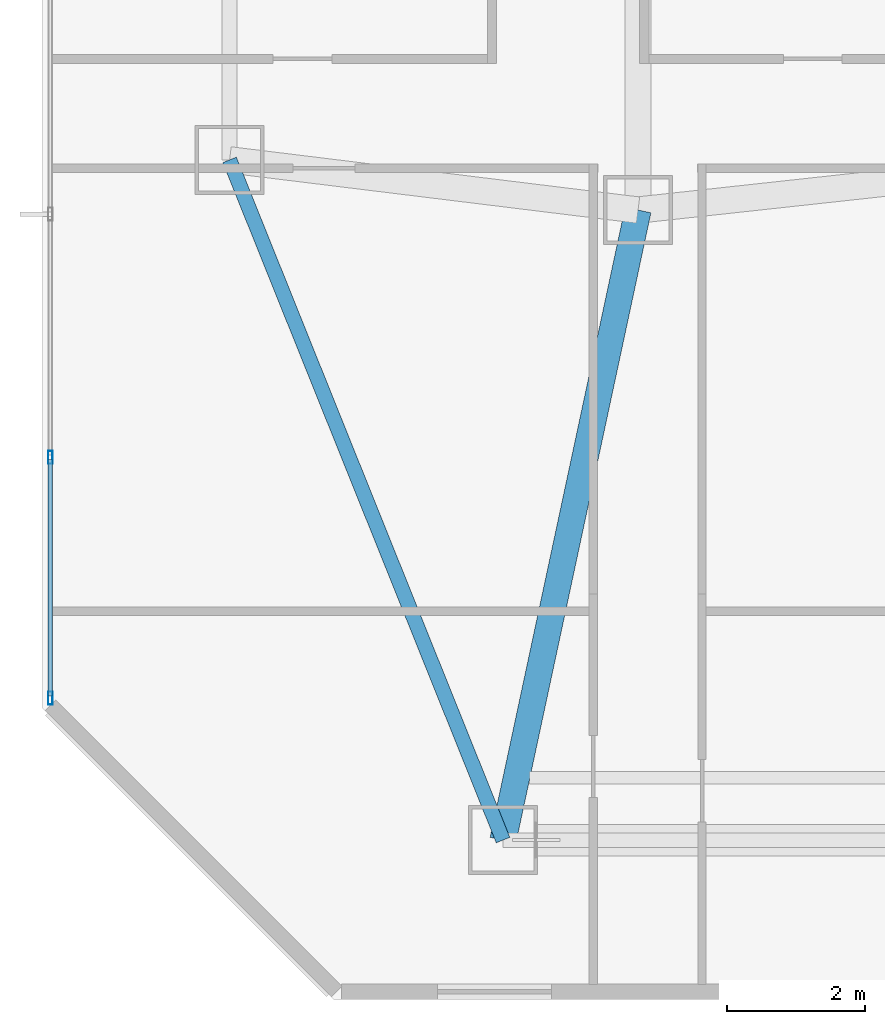
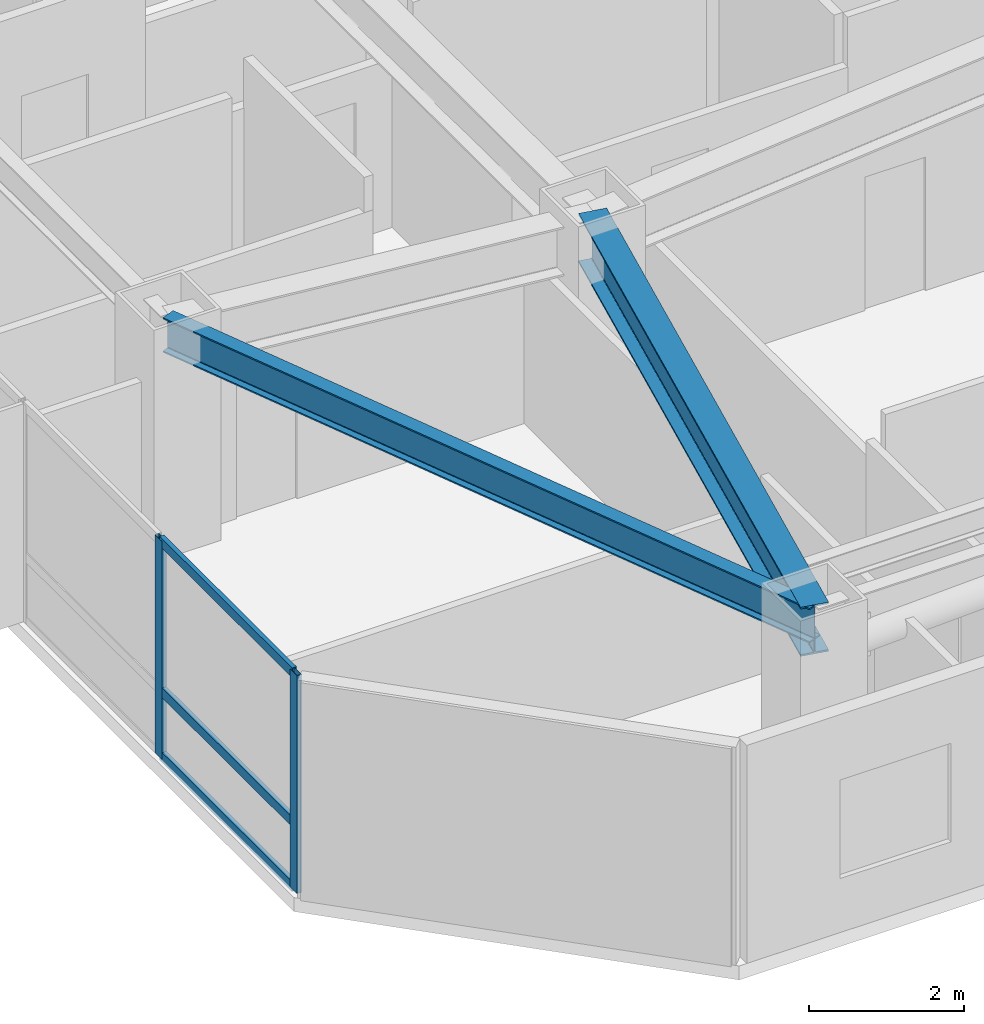
# One storey, part 2 of 19: 5 members, 2 beams, 1 element without a shape of its own.
"""IFC4 building model written with IfcOpenShell, lengths in metres."""

from ifc_helpers import new_model, si_unit, direction, frame, origin, origin_2d, place, context, subcontext, project, spatial, hollow_rectangle, i_section, extrude, material, material_profile, profile_set, type_object, element, aggregate, save


model = new_model("IFC4")

# Units and contexts
model_context = context("Model", 3, precision=1e-05, world=origin(), true_north=direction((0.0, 1.0)))
body_context = subcontext(model_context, "Body", "Model", "MODEL_VIEW")
ifc_project = project(units=[si_unit("LENGTHUNIT", "METRE"), si_unit("AREAUNIT", "SQUARE_METRE"), si_unit("VOLUMEUNIT", "CUBIC_METRE"), si_unit("PLANEANGLEUNIT", "RADIAN"), si_unit("MASSUNIT", "GRAM", prefix="KILO")], contexts=[model_context])

# Site, building, storey
site_placement = place(None, origin())
site = spatial("IfcSite", under=ifc_project, at=site_placement, CompositionType="ELEMENT")
building_placement = place(site_placement, origin())
building = spatial("IfcBuilding", under=site, at=building_placement, Name="Khamvora Tower", CompositionType="ELEMENT")
storey_placement = place(building_placement, frame((0.0, 0.0, 120.14990234375)))
storey = spatial("IfcBuildingStorey", under=building, at=storey_placement, Name="L30", CompositionType="ELEMENT", Elevation=120.14990234375)

# Beams
ifc_material_1 = material(Name="Steel S355", Category="steel")
ifc_material_profile_1 = material_profile(ifc_material_1, i_section(OverallWidth=0.381103515625, OverallDepth=0.77294921875, WebThickness=0.01708984375, FlangeThickness=0.027099609375, FilletRadius=0.01806640625, at=origin_2d()), Name="W760x257")
ifc_profile_set_1 = profile_set([ifc_material_profile_1], Name="Steel S355")
beam_type_1 = type_object("IfcBeamType", Name="BM-PG-W760x257", PredefinedType="BEAM", material=ifc_profile_set_1)
beam_1_placement = place(storey_placement, frame((18.0, 17.800048828125, 3.044189453125), z_axis=(-0.209521922673, -0.977803949634, 0.0), x_axis=(0.977803949634, -0.209521922673, 0.0)))
element("IfcBeam", 1, at=beam_1_placement, inside=storey, type_object=beam_type_1, Name="L30 primary floor girder S1", PredefinedType="BEAM", context=body_context, shape_type="SweptSolid", body=[
    extrude(i_section(OverallWidth=0.381103515625, OverallDepth=0.77294921875, WebThickness=0.01708984375, FlangeThickness=0.027099609375, FilletRadius=0.01806640625, at=origin_2d()), origin(), (0.0, 0.0, 1.0), 9.306640625),
])
ifc_material_profile_2 = material_profile(ifc_material_1, i_section(OverallWidth=0.2119140625, OverallDepth=0.5439453125, WebThickness=0.012939453125, FlangeThickness=0.02099609375, FilletRadius=0.013916015625, at=origin_2d()), Name="W530x123")
ifc_profile_set_2 = profile_set([ifc_material_profile_2], Name="Steel S355")
beam_type_2 = type_object("IfcBeamType", Name="BM-SP-W530x123", PredefinedType="SPANDREL", material=ifc_profile_set_2)
beam_2_placement = place(storey_placement, frame((12.10009765625, 18.52490234375, 3.158203125), z_axis=(0.373015921536, -0.927824941614, 0.0), x_axis=(0.927824941614, 0.373015921536, 0.0)))
element("IfcBeam", 2, at=beam_2_placement, inside=storey, type_object=beam_type_2, Name="L30 perimeter spandrel beam W1-S1", PredefinedType="SPANDREL", context=body_context, shape_type="SweptSolid", body=[
    extrude(i_section(OverallWidth=0.2119140625, OverallDepth=0.5439453125, WebThickness=0.012939453125, FlangeThickness=0.02099609375, FilletRadius=0.013916015625, at=origin_2d()), origin(), (0.0, 0.0, 1.0), 10.589111328125),
])

# Curtain wall, members
ifc_material_2 = material(Name="Anodised Aluminium 6063-T6", Category="aluminium")
curtain_wall_type = type_object("IfcCurtainWallType", Name="CW-SYS-03", PredefinedType="NOTDEFINED", material=ifc_material_2)
curtain_wall_placement = place(storey_placement, origin())
curtain_wall = element("IfcCurtainWall", 3, at=curtain_wall_placement, inside=storey, type_object=curtain_wall_type, Name="L30 stick curtain wall 02.1", PredefinedType="NOTDEFINED")
ifc_material_profile_3 = material_profile(ifc_material_2, hollow_rectangle(XDim=0.06494140625, YDim=0.18994140625, WallThickness=0.0048828125, at=origin_2d()), Name="MUL65x190x5")
ifc_profile_set_3 = profile_set([ifc_material_profile_3], Name="Anodised Aluminium 6063-T6")
member_type_1 = type_object("IfcMemberType", Name="CW-SYS-03-MUL", PredefinedType="MULLION", material=ifc_profile_set_3)
member_1_placement = place(storey_placement, frame((9.510009765625, 10.74951171875, 0.0), z_axis=(0.0, 0.0, 1.0), x_axis=(-1.0, 0.0, 0.0)))
member_1 = element("IfcMember", 4, at=member_1_placement, type_object=member_type_1, Name="CW-03 mullion 1", PredefinedType="MULLION", context=body_context, shape_type="SweptSolid", body=[
    extrude(hollow_rectangle(XDim=0.06494140625, YDim=0.18994140625, WallThickness=0.0048828125, at=origin_2d()), origin(), (0.0, 0.0, 1.0), 3.43017578125),
])
member_2_placement = place(storey_placement, frame((9.510009765625, 14.228515625, 0.0), z_axis=(0.0, 0.0, 1.0), x_axis=(-1.0, 0.0, 0.0)))
member_2 = element("IfcMember", 5, at=member_2_placement, type_object=member_type_1, Name="CW-03 mullion 2", PredefinedType="MULLION", context=body_context, shape_type="SweptSolid", body=[
    extrude(hollow_rectangle(XDim=0.06494140625, YDim=0.18994140625, WallThickness=0.0048828125, at=origin_2d()), origin(), (0.0, 0.0, 1.0), 3.43017578125),
])
ifc_material_profile_4 = material_profile(ifc_material_2, hollow_rectangle(XDim=0.06494140625, YDim=0.155029296875, WallThickness=0.0048828125, at=origin_2d()), Name="TRN65x155x5")
ifc_profile_set_4 = profile_set([ifc_material_profile_4], Name="Anodised Aluminium 6063-T6")
member_type_2 = type_object("IfcMemberType", Name="CW-SYS-03-TRN", PredefinedType="USERDEFINED", material=ifc_profile_set_4)
member_3_placement = place(storey_placement, frame((9.510009765625, 10.781982421875, 0.03271484375), z_axis=(0.0, 1.0, 0.0), x_axis=(-1.0, 0.0, 0.0)))
member_3 = element("IfcMember", 6, at=member_3_placement, type_object=member_type_2, Name="CW-03 transom 1.1", ObjectType="TRANSOM", PredefinedType="USERDEFINED", context=body_context, shape_type="SweptSolid", body=[
    extrude(hollow_rectangle(XDim=0.06494140625, YDim=0.155029296875, WallThickness=0.0048828125, at=origin_2d()), origin(), (0.0, 0.0, 1.0), 3.4140625),
])
member_4_placement = place(storey_placement, frame((9.510009765625, 10.781982421875, 1.050048828125), z_axis=(0.0, 1.0, 0.0), x_axis=(-1.0, 0.0, 0.0)))
member_4 = element("IfcMember", 7, at=member_4_placement, type_object=member_type_2, Name="CW-03 transom 1.2", ObjectType="TRANSOM", PredefinedType="USERDEFINED", context=body_context, shape_type="SweptSolid", body=[
    extrude(hollow_rectangle(XDim=0.06494140625, YDim=0.155029296875, WallThickness=0.0048828125, at=origin_2d()), origin(), (0.0, 0.0, 1.0), 3.4140625),
])
member_5_placement = place(storey_placement, frame((9.510009765625, 10.781982421875, 3.397705078125), z_axis=(0.0, 1.0, 0.0), x_axis=(-1.0, 0.0, 0.0)))
member_5 = element("IfcMember", 8, at=member_5_placement, type_object=member_type_2, Name="CW-03 transom 1.3", ObjectType="TRANSOM", PredefinedType="USERDEFINED", context=body_context, shape_type="SweptSolid", body=[
    extrude(hollow_rectangle(XDim=0.06494140625, YDim=0.155029296875, WallThickness=0.0048828125, at=origin_2d()), origin(), (0.0, 0.0, 1.0), 3.4140625),
])
aggregate(curtain_wall, [member_1, member_2, member_3, member_4, member_5])

save(model, "model.ifc")
